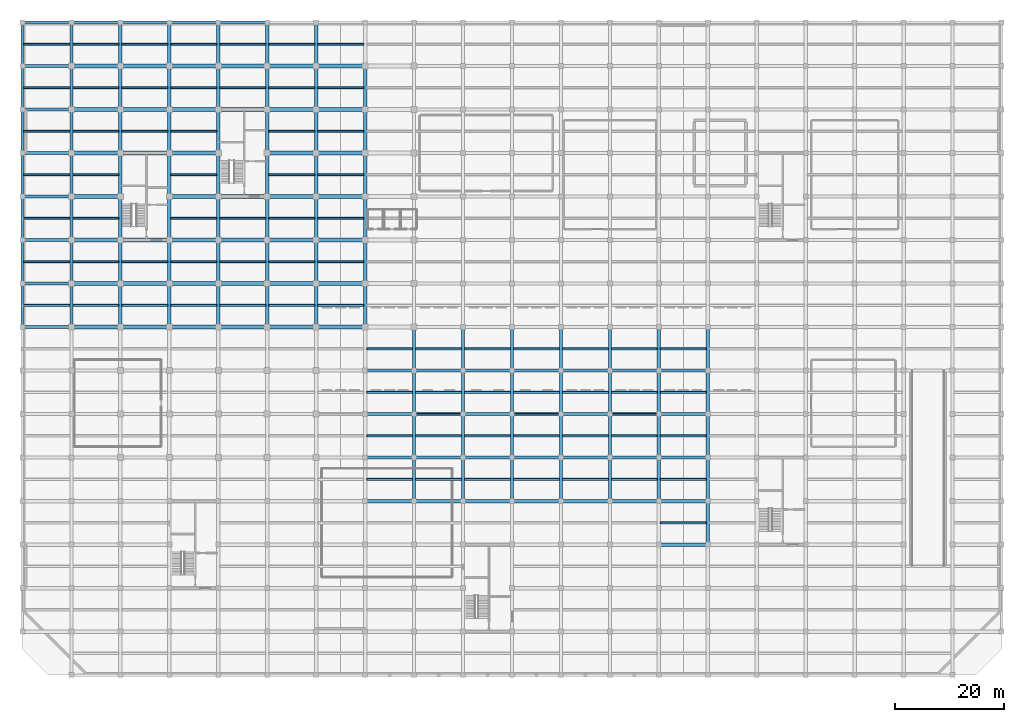
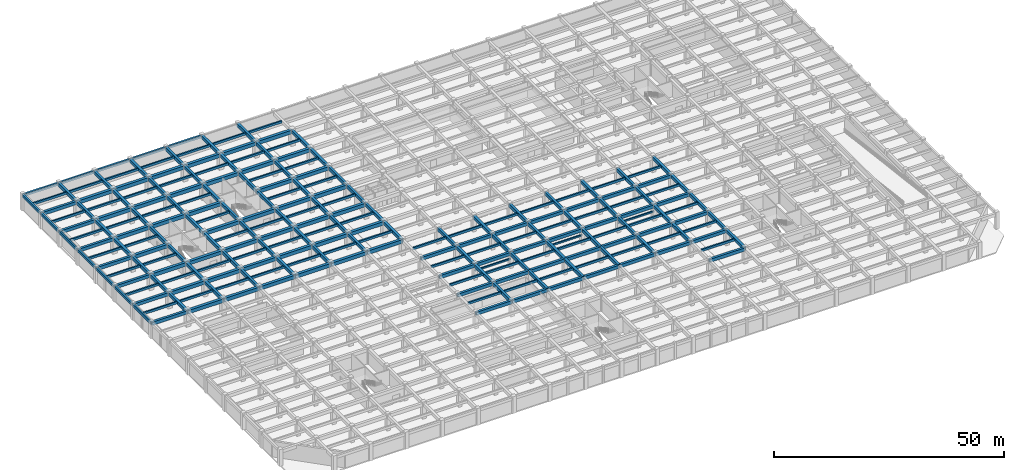
# One storey, part 5 of 26: 242 beams.
"""IFC4 building model written with IfcOpenShell, lengths in metres."""

from ifc_helpers import new_model, si_unit, direction, frame, origin, origin_2d, place, context, subcontext, project, spatial, rectangle, extrude, material, material_profile, profile_set, type_object, element, save


model = new_model("IFC4")

# Units and contexts
model_context = context("Model", 3, precision=1e-05, world=origin(), true_north=direction((0.0, 1.0)))
body_context = subcontext(model_context, "Body", "Model", "MODEL_VIEW")
ifc_project = project(units=[si_unit("LENGTHUNIT", "METRE"), si_unit("AREAUNIT", "SQUARE_METRE"), si_unit("VOLUMEUNIT", "CUBIC_METRE"), si_unit("PLANEANGLEUNIT", "RADIAN"), si_unit("MASSUNIT", "GRAM", prefix="KILO")], contexts=[model_context])

# Site, building, storey
site_placement = place(None, origin())
site = spatial("IfcSite", under=ifc_project, at=site_placement, CompositionType="ELEMENT")
building_placement = place(site_placement, origin())
building = spatial("IfcBuilding", under=site, at=building_placement, Name="Zaverband Oceanarium and Marine Research Institute", CompositionType="ELEMENT")
storey_placement = place(building_placement, frame((0.0, 0.0, -4.5)))
storey = spatial("IfcBuildingStorey", under=building, at=storey_placement, Name="B1", CompositionType="ELEMENT", Elevation=-4.5)

# Beams
ifc_material_1 = material(Name="Concrete C40/50", Category="concrete")
ifc_material_profile_1 = material_profile(ifc_material_1, rectangle(XDim=0.60009765625, YDim=0.85009765625, at=origin_2d()), Name="RC600x850")
ifc_profile_set_1 = profile_set([ifc_material_profile_1], Name="Concrete C40/50")
beam_type_1 = type_object("IfcBeamType", Name="BM-600x850", PredefinedType="BEAM", material=ifc_profile_set_1)
for number, where, z_axis, x_axis, name in (
    (1, (117.0, 24.0, 3.72509765625), (1.0, 0.0, 0.0), (0.0, 1.0, 0.0), "Primary floor girder BM-600x850"),
    (2, (63.0, 32.0, 3.72509765625), (1.0, 0.0, 0.0), (0.0, 1.0, 0.0), "Primary floor girder BM-600x850"),
    (3, (72.0, 32.0, 3.72509765625), (1.0, 0.0, 0.0), (0.0, 1.0, 0.0), "Primary floor girder BM-600x850"),
    (4, (81.0, 32.0, 3.72509765625), (1.0, 0.0, 0.0), (0.0, 1.0, 0.0), "Primary floor girder BM-600x850"),
    (5, (90.0, 32.0, 3.72509765625), (1.0, 0.0, 0.0), (0.0, 1.0, 0.0), "Primary floor girder BM-600x850"),
    (6, (99.0, 32.0, 3.72509765625), (1.0, 0.0, 0.0), (0.0, 1.0, 0.0), "Primary floor girder BM-600x850"),
    (7, (108.0, 32.0, 3.72509765625), (1.0, 0.0, 0.0), (0.0, 1.0, 0.0), "Primary floor girder BM-600x850"),
    (8, (117.0, 32.0, 3.72509765625), (1.0, 0.0, 0.0), (0.0, 1.0, 0.0), "Primary floor girder BM-600x850"),
    (9, (63.0, 40.0, 3.72509765625), (1.0, 0.0, 0.0), (0.0, 1.0, 0.0), "Primary floor girder BM-600x850"),
    (10, (72.0, 40.0, 3.72509765625), (1.0, 0.0, 0.0), (0.0, 1.0, 0.0), "Primary floor girder BM-600x850"),
    (11, (81.0, 40.0, 3.72509765625), (1.0, 0.0, 0.0), (0.0, 1.0, 0.0), "Primary floor girder BM-600x850"),
    (12, (90.0, 40.0, 3.72509765625), (1.0, 0.0, 0.0), (0.0, 1.0, 0.0), "Primary floor girder BM-600x850"),
    (13, (99.0, 40.0, 3.72509765625), (1.0, 0.0, 0.0), (0.0, 1.0, 0.0), "Primary floor girder BM-600x850"),
    (14, (108.0, 40.0, 3.72509765625), (1.0, 0.0, 0.0), (0.0, 1.0, 0.0), "Primary floor girder BM-600x850"),
    (15, (117.0, 40.0, 3.72509765625), (1.0, 0.0, 0.0), (0.0, 1.0, 0.0), "Primary floor girder BM-600x850"),
    (16, (63.0, 48.0, 3.72509765625), (1.0, 0.0, 0.0), (0.0, 1.0, 0.0), "Primary floor girder BM-600x850"),
    (17, (72.0, 48.0, 3.72509765625), (1.0, 0.0, 0.0), (0.0, 1.0, 0.0), "Primary floor girder BM-600x850"),
    (18, (81.0, 48.0, 3.72509765625), (1.0, 0.0, 0.0), (0.0, 1.0, 0.0), "Primary floor girder BM-600x850"),
    (19, (90.0, 48.0, 3.72509765625), (1.0, 0.0, 0.0), (0.0, 1.0, 0.0), "Primary floor girder BM-600x850"),
    (20, (99.0, 48.0, 3.72509765625), (1.0, 0.0, 0.0), (0.0, 1.0, 0.0), "Primary floor girder BM-600x850"),
    (21, (108.0, 48.0, 3.72509765625), (1.0, 0.0, 0.0), (0.0, 1.0, 0.0), "Primary floor girder BM-600x850"),
    (22, (117.0, 48.0, 3.72509765625), (1.0, 0.0, 0.0), (0.0, 1.0, 0.0), "Primary floor girder BM-600x850"),
    (23, (63.0, 56.0, 3.72509765625), (1.0, 0.0, 0.0), (0.0, 1.0, 0.0), "Primary floor girder BM-600x850"),
    (24, (72.0, 56.0, 3.72509765625), (1.0, 0.0, 0.0), (0.0, 1.0, 0.0), "Primary floor girder BM-600x850"),
    (25, (81.0, 56.0, 3.72509765625), (1.0, 0.0, 0.0), (0.0, 1.0, 0.0), "Primary floor girder BM-600x850"),
    (26, (90.0, 56.0, 3.72509765625), (1.0, 0.0, 0.0), (0.0, 1.0, 0.0), "Primary floor girder BM-600x850"),
    (27, (99.0, 56.0, 3.72509765625), (1.0, 0.0, 0.0), (0.0, 1.0, 0.0), "Primary floor girder BM-600x850"),
    (28, (108.0, 56.0, 3.72509765625), (1.0, 0.0, 0.0), (0.0, 1.0, 0.0), "Primary floor girder BM-600x850"),
    (29, (117.0, 56.0, 3.72509765625), (1.0, 0.0, 0.0), (0.0, 1.0, 0.0), "Primary floor girder BM-600x850"),
    (30, (0.0, 64.0, 3.72509765625), (1.0, 0.0, 0.0), (0.0, 1.0, 0.0), "Primary floor girder BM-600x850"),
    (31, (0.0, 72.0, 3.72509765625), (1.0, 0.0, 0.0), (0.0, 1.0, 0.0), "Primary floor girder BM-600x850"),
    (32, (0.0, 80.0, 3.72509765625), (1.0, 0.0, 0.0), (0.0, 1.0, 0.0), "Primary floor girder BM-600x850"),
    (33, (0.0, 88.0, 3.72509765625), (1.0, 0.0, 0.0), (0.0, 1.0, 0.0), "Primary floor girder BM-600x850"),
    (34, (0.0, 96.0, 3.72509765625), (1.0, 0.0, 0.0), (0.0, 1.0, 0.0), "Primary floor girder BM-600x850"),
    (35, (0.0, 104.0, 3.72509765625), (1.0, 0.0, 0.0), (0.0, 1.0, 0.0), "Primary floor girder BM-600x850"),
    (36, (0.0, 112.0, 3.72509765625), (1.0, 0.0, 0.0), (0.0, 1.0, 0.0), "Primary floor girder BM-600x850"),
):
    element("IfcBeam", number, at=place(storey_placement, frame(where, z_axis=z_axis, x_axis=x_axis)), inside=storey, type_object=beam_type_1, Name=name, PredefinedType="BEAM", context=body_context, shape_type="SweptSolid", body=[
        extrude(rectangle(XDim=0.60009765625, YDim=0.85009765625, at=origin_2d()), origin(), (0.0, 0.0, 1.0), 9.0),
    ])
for number, where, z_axis, x_axis, name in (
    (37, (9.0, 64.0, 3.72509765625), (0.0, 1.0, 0.0), (-1.0, 0.0, 0.0), "Primary floor girder BM-600x850"),
    (38, (9.0, 72.0, 3.72509765625), (0.0, 1.0, 0.0), (-1.0, 0.0, 0.0), "Primary floor girder BM-600x850"),
    (39, (9.0, 80.0, 3.72509765625), (0.0, 1.0, 0.0), (-1.0, 0.0, 0.0), "Primary floor girder BM-600x850"),
    (40, (9.0, 88.0, 3.72509765625), (0.0, 1.0, 0.0), (-1.0, 0.0, 0.0), "Primary floor girder BM-600x850"),
    (41, (9.0, 96.0, 3.72509765625), (0.0, 1.0, 0.0), (-1.0, 0.0, 0.0), "Primary floor girder BM-600x850"),
    (42, (9.0, 104.0, 3.72509765625), (0.0, 1.0, 0.0), (-1.0, 0.0, 0.0), "Primary floor girder BM-600x850"),
    (43, (9.0, 112.0, 3.72509765625), (0.0, 1.0, 0.0), (-1.0, 0.0, 0.0), "Primary floor girder BM-600x850"),
    (44, (18.0, 64.0, 3.72509765625), (0.0, 1.0, 0.0), (-1.0, 0.0, 0.0), "Primary floor girder BM-600x850"),
    (45, (18.0, 72.0, 3.72509765625), (0.0, 1.0, 0.0), (-1.0, 0.0, 0.0), "Primary floor girder BM-600x850"),
    (46, (18.0, 80.0, 3.72509765625), (0.0, 1.0, 0.0), (-1.0, 0.0, 0.0), "Primary floor girder BM-600x850"),
    (47, (18.0, 88.0, 3.72509765625), (0.0, 1.0, 0.0), (-1.0, 0.0, 0.0), "Primary floor girder BM-600x850"),
    (48, (18.0, 96.0, 3.72509765625), (0.0, 1.0, 0.0), (-1.0, 0.0, 0.0), "Primary floor girder BM-600x850"),
    (49, (18.0, 104.0, 3.72509765625), (0.0, 1.0, 0.0), (-1.0, 0.0, 0.0), "Primary floor girder BM-600x850"),
    (50, (18.0, 112.0, 3.72509765625), (0.0, 1.0, 0.0), (-1.0, 0.0, 0.0), "Primary floor girder BM-600x850"),
    (51, (27.0, 64.0, 3.72509765625), (0.0, 1.0, 0.0), (-1.0, 0.0, 0.0), "Primary floor girder BM-600x850"),
    (52, (27.0, 72.0, 3.72509765625), (0.0, 1.0, 0.0), (-1.0, 0.0, 0.0), "Primary floor girder BM-600x850"),
    (53, (27.0, 80.0, 3.72509765625), (0.0, 1.0, 0.0), (-1.0, 0.0, 0.0), "Primary floor girder BM-600x850"),
    (54, (27.0, 88.0, 3.72509765625), (0.0, 1.0, 0.0), (-1.0, 0.0, 0.0), "Primary floor girder BM-600x850"),
    (55, (27.0, 96.0, 3.72509765625), (0.0, 1.0, 0.0), (-1.0, 0.0, 0.0), "Primary floor girder BM-600x850"),
    (56, (27.0, 104.0, 3.72509765625), (0.0, 1.0, 0.0), (-1.0, 0.0, 0.0), "Primary floor girder BM-600x850"),
    (57, (27.0, 112.0, 3.72509765625), (0.0, 1.0, 0.0), (-1.0, 0.0, 0.0), "Primary floor girder BM-600x850"),
    (58, (36.0, 64.0, 3.72509765625), (0.0, 1.0, 0.0), (-1.0, 0.0, 0.0), "Primary floor girder BM-600x850"),
    (59, (36.0, 72.0, 3.72509765625), (0.0, 1.0, 0.0), (-1.0, 0.0, 0.0), "Primary floor girder BM-600x850"),
    (60, (36.0, 80.0, 3.72509765625), (0.0, 1.0, 0.0), (-1.0, 0.0, 0.0), "Primary floor girder BM-600x850"),
    (61, (36.0, 88.0, 3.72509765625), (0.0, 1.0, 0.0), (-1.0, 0.0, 0.0), "Primary floor girder BM-600x850"),
    (62, (36.0, 96.0, 3.72509765625), (0.0, 1.0, 0.0), (-1.0, 0.0, 0.0), "Primary floor girder BM-600x850"),
    (63, (36.0, 104.0, 3.72509765625), (0.0, 1.0, 0.0), (-1.0, 0.0, 0.0), "Primary floor girder BM-600x850"),
    (64, (36.0, 112.0, 3.72509765625), (0.0, 1.0, 0.0), (-1.0, 0.0, 0.0), "Primary floor girder BM-600x850"),
    (65, (45.0, 64.0, 3.72509765625), (0.0, 1.0, 0.0), (-1.0, 0.0, 0.0), "Primary floor girder BM-600x850"),
    (66, (45.0, 72.0, 3.72509765625), (0.0, 1.0, 0.0), (-1.0, 0.0, 0.0), "Primary floor girder BM-600x850"),
    (67, (45.0, 80.0, 3.72509765625), (0.0, 1.0, 0.0), (-1.0, 0.0, 0.0), "Primary floor girder BM-600x850"),
    (68, (45.0, 88.0, 3.72509765625), (0.0, 1.0, 0.0), (-1.0, 0.0, 0.0), "Primary floor girder BM-600x850"),
    (69, (45.0, 96.0, 3.72509765625), (0.0, 1.0, 0.0), (-1.0, 0.0, 0.0), "Primary floor girder BM-600x850"),
    (70, (45.0, 104.0, 3.72509765625), (0.0, 1.0, 0.0), (-1.0, 0.0, 0.0), "Primary floor girder BM-600x850"),
    (71, (45.0, 112.0, 3.72509765625), (0.0, 1.0, 0.0), (-1.0, 0.0, 0.0), "Primary floor girder BM-600x850"),
    (72, (54.0, 64.0, 3.72509765625), (0.0, 1.0, 0.0), (-1.0, 0.0, 0.0), "Primary floor girder BM-600x850"),
    (73, (54.0, 72.0, 3.72509765625), (0.0, 1.0, 0.0), (-1.0, 0.0, 0.0), "Primary floor girder BM-600x850"),
    (74, (54.0, 80.0, 3.72509765625), (0.0, 1.0, 0.0), (-1.0, 0.0, 0.0), "Primary floor girder BM-600x850"),
    (75, (54.0, 88.0, 3.72509765625), (0.0, 1.0, 0.0), (-1.0, 0.0, 0.0), "Primary floor girder BM-600x850"),
    (76, (54.0, 96.0, 3.72509765625), (0.0, 1.0, 0.0), (-1.0, 0.0, 0.0), "Primary floor girder BM-600x850"),
    (77, (54.0, 104.0, 3.72509765625), (0.0, 1.0, 0.0), (-1.0, 0.0, 0.0), "Primary floor girder BM-600x850"),
    (78, (54.0, 112.0, 3.72509765625), (0.0, 1.0, 0.0), (-1.0, 0.0, 0.0), "Primary floor girder BM-600x850"),
    (79, (63.0, 64.0, 3.72509765625), (0.0, 1.0, 0.0), (-1.0, 0.0, 0.0), "Primary floor girder BM-600x850"),
    (80, (63.0, 72.0, 3.72509765625), (0.0, 1.0, 0.0), (-1.0, 0.0, 0.0), "Primary floor girder BM-600x850"),
    (81, (63.0, 80.0, 3.72509765625), (0.0, 1.0, 0.0), (-1.0, 0.0, 0.0), "Primary floor girder BM-600x850"),
    (82, (63.0, 88.0, 3.72509765625), (0.0, 1.0, 0.0), (-1.0, 0.0, 0.0), "Primary floor girder BM-600x850"),
    (83, (63.0, 96.0, 3.72509765625), (0.0, 1.0, 0.0), (-1.0, 0.0, 0.0), "Primary floor girder BM-600x850"),
    (84, (63.0, 104.0, 3.72509765625), (0.0, 1.0, 0.0), (-1.0, 0.0, 0.0), "Primary floor girder BM-600x850"),
    (85, (72.0, 32.0, 3.72509765625), (0.0, 1.0, 0.0), (-1.0, 0.0, 0.0), "Primary floor girder BM-600x850"),
    (86, (72.0, 40.0, 3.72509765625), (0.0, 1.0, 0.0), (-1.0, 0.0, 0.0), "Primary floor girder BM-600x850"),
    (87, (72.0, 48.0, 3.72509765625), (0.0, 1.0, 0.0), (-1.0, 0.0, 0.0), "Primary floor girder BM-600x850"),
    (88, (72.0, 56.0, 3.72509765625), (0.0, 1.0, 0.0), (-1.0, 0.0, 0.0), "Primary floor girder BM-600x850"),
    (89, (81.0, 32.0, 3.72509765625), (0.0, 1.0, 0.0), (-1.0, 0.0, 0.0), "Primary floor girder BM-600x850"),
    (90, (81.0, 40.0, 3.72509765625), (0.0, 1.0, 0.0), (-1.0, 0.0, 0.0), "Primary floor girder BM-600x850"),
    (91, (81.0, 48.0, 3.72509765625), (0.0, 1.0, 0.0), (-1.0, 0.0, 0.0), "Primary floor girder BM-600x850"),
    (92, (81.0, 56.0, 3.72509765625), (0.0, 1.0, 0.0), (-1.0, 0.0, 0.0), "Primary floor girder BM-600x850"),
    (93, (90.0, 32.0, 3.72509765625), (0.0, 1.0, 0.0), (-1.0, 0.0, 0.0), "Primary floor girder BM-600x850"),
    (94, (90.0, 40.0, 3.72509765625), (0.0, 1.0, 0.0), (-1.0, 0.0, 0.0), "Primary floor girder BM-600x850"),
    (95, (90.0, 48.0, 3.72509765625), (0.0, 1.0, 0.0), (-1.0, 0.0, 0.0), "Primary floor girder BM-600x850"),
    (96, (90.0, 56.0, 3.72509765625), (0.0, 1.0, 0.0), (-1.0, 0.0, 0.0), "Primary floor girder BM-600x850"),
    (97, (99.0, 32.0, 3.72509765625), (0.0, 1.0, 0.0), (-1.0, 0.0, 0.0), "Primary floor girder BM-600x850"),
    (98, (99.0, 40.0, 3.72509765625), (0.0, 1.0, 0.0), (-1.0, 0.0, 0.0), "Primary floor girder BM-600x850"),
    (99, (99.0, 48.0, 3.72509765625), (0.0, 1.0, 0.0), (-1.0, 0.0, 0.0), "Primary floor girder BM-600x850"),
    (100, (99.0, 56.0, 3.72509765625), (0.0, 1.0, 0.0), (-1.0, 0.0, 0.0), "Primary floor girder BM-600x850"),
    (101, (108.0, 32.0, 3.72509765625), (0.0, 1.0, 0.0), (-1.0, 0.0, 0.0), "Primary floor girder BM-600x850"),
    (102, (108.0, 40.0, 3.72509765625), (0.0, 1.0, 0.0), (-1.0, 0.0, 0.0), "Primary floor girder BM-600x850"),
    (103, (108.0, 48.0, 3.72509765625), (0.0, 1.0, 0.0), (-1.0, 0.0, 0.0), "Primary floor girder BM-600x850"),
    (104, (108.0, 56.0, 3.72509765625), (0.0, 1.0, 0.0), (-1.0, 0.0, 0.0), "Primary floor girder BM-600x850"),
    (105, (117.0, 32.0, 3.72509765625), (0.0, 1.0, 0.0), (-1.0, 0.0, 0.0), "Primary floor girder BM-600x850"),
    (106, (117.0, 40.0, 3.72509765625), (0.0, 1.0, 0.0), (-1.0, 0.0, 0.0), "Primary floor girder BM-600x850"),
    (107, (117.0, 48.0, 3.72509765625), (0.0, 1.0, 0.0), (-1.0, 0.0, 0.0), "Primary floor girder BM-600x850"),
    (108, (117.0, 56.0, 3.72509765625), (0.0, 1.0, 0.0), (-1.0, 0.0, 0.0), "Primary floor girder BM-600x850"),
    (109, (126.0, 24.0, 3.72509765625), (0.0, 1.0, 0.0), (-1.0, 0.0, 0.0), "Primary floor girder BM-600x850"),
    (110, (126.0, 32.0, 3.72509765625), (0.0, 1.0, 0.0), (-1.0, 0.0, 0.0), "Primary floor girder BM-600x850"),
    (111, (126.0, 40.0, 3.72509765625), (0.0, 1.0, 0.0), (-1.0, 0.0, 0.0), "Primary floor girder BM-600x850"),
    (112, (126.0, 48.0, 3.72509765625), (0.0, 1.0, 0.0), (-1.0, 0.0, 0.0), "Primary floor girder BM-600x850"),
    (113, (126.0, 56.0, 3.72509765625), (0.0, 1.0, 0.0), (-1.0, 0.0, 0.0), "Primary floor girder BM-600x850"),
):
    element("IfcBeam", number, at=place(storey_placement, frame(where, z_axis=z_axis, x_axis=x_axis)), inside=storey, type_object=beam_type_1, Name=name, PredefinedType="BEAM", context=body_context, shape_type="SweptSolid", body=[
        extrude(rectangle(XDim=0.60009765625, YDim=0.85009765625, at=origin_2d()), origin(), (0.0, 0.0, 1.0), 8.0),
    ])
ifc_material_2 = material(Name="Concrete C50/60", Category="concrete")
ifc_material_profile_2 = material_profile(ifc_material_2, rectangle(XDim=0.699951171875, YDim=0.949951171875, at=origin_2d()), Name="RC700x950")
ifc_profile_set_2 = profile_set([ifc_material_profile_2], Name="Concrete C50/60")
beam_type_2 = type_object("IfcBeamType", Name="BM-700x950", PredefinedType="BEAM", material=ifc_profile_set_2)
for number, where, z_axis, x_axis, name in (
    (114, (9.0, 64.0, 3.675048828125), (1.0, 0.0, 0.0), (0.0, 1.0, 0.0), "Primary floor girder BM-700x950"),
    (115, (18.0, 64.0, 3.675048828125), (1.0, 0.0, 0.0), (0.0, 1.0, 0.0), "Primary floor girder BM-700x950"),
    (116, (27.0, 64.0, 3.675048828125), (1.0, 0.0, 0.0), (0.0, 1.0, 0.0), "Primary floor girder BM-700x950"),
    (117, (36.0, 64.0, 3.675048828125), (1.0, 0.0, 0.0), (0.0, 1.0, 0.0), "Primary floor girder BM-700x950"),
    (118, (45.0, 64.0, 3.675048828125), (1.0, 0.0, 0.0), (0.0, 1.0, 0.0), "Primary floor girder BM-700x950"),
    (119, (54.0, 64.0, 3.675048828125), (1.0, 0.0, 0.0), (0.0, 1.0, 0.0), "Primary floor girder BM-700x950"),
    (120, (9.0, 72.0, 3.675048828125), (1.0, 0.0, 0.0), (0.0, 1.0, 0.0), "Primary floor girder BM-700x950"),
    (121, (18.0, 72.0, 3.675048828125), (1.0, 0.0, 0.0), (0.0, 1.0, 0.0), "Primary floor girder BM-700x950"),
    (122, (27.0, 72.0, 3.675048828125), (1.0, 0.0, 0.0), (0.0, 1.0, 0.0), "Primary floor girder BM-700x950"),
    (123, (36.0, 72.0, 3.675048828125), (1.0, 0.0, 0.0), (0.0, 1.0, 0.0), "Primary floor girder BM-700x950"),
    (124, (45.0, 72.0, 3.675048828125), (1.0, 0.0, 0.0), (0.0, 1.0, 0.0), "Primary floor girder BM-700x950"),
    (125, (54.0, 72.0, 3.675048828125), (1.0, 0.0, 0.0), (0.0, 1.0, 0.0), "Primary floor girder BM-700x950"),
    (126, (9.0, 80.0, 3.675048828125), (1.0, 0.0, 0.0), (0.0, 1.0, 0.0), "Primary floor girder BM-700x950"),
    (127, (18.0, 80.0, 3.675048828125), (1.0, 0.0, 0.0), (0.0, 1.0, 0.0), "Primary floor girder BM-700x950"),
    (128, (27.0, 80.0, 3.675048828125), (1.0, 0.0, 0.0), (0.0, 1.0, 0.0), "Primary floor girder BM-700x950"),
    (129, (36.0, 80.0, 3.675048828125), (1.0, 0.0, 0.0), (0.0, 1.0, 0.0), "Primary floor girder BM-700x950"),
    (130, (45.0, 80.0, 3.675048828125), (1.0, 0.0, 0.0), (0.0, 1.0, 0.0), "Primary floor girder BM-700x950"),
    (131, (54.0, 80.0, 3.675048828125), (1.0, 0.0, 0.0), (0.0, 1.0, 0.0), "Primary floor girder BM-700x950"),
    (132, (9.0, 88.0, 3.675048828125), (1.0, 0.0, 0.0), (0.0, 1.0, 0.0), "Primary floor girder BM-700x950"),
    (133, (27.0, 88.0, 3.675048828125), (1.0, 0.0, 0.0), (0.0, 1.0, 0.0), "Primary floor girder BM-700x950"),
    (134, (36.0, 88.0, 3.675048828125), (1.0, 0.0, 0.0), (0.0, 1.0, 0.0), "Primary floor girder BM-700x950"),
    (135, (45.0, 88.0, 3.675048828125), (1.0, 0.0, 0.0), (0.0, 1.0, 0.0), "Primary floor girder BM-700x950"),
    (136, (54.0, 88.0, 3.675048828125), (1.0, 0.0, 0.0), (0.0, 1.0, 0.0), "Primary floor girder BM-700x950"),
    (137, (9.0, 96.0, 3.675048828125), (1.0, 0.0, 0.0), (0.0, 1.0, 0.0), "Primary floor girder BM-700x950"),
    (138, (18.0, 96.0, 3.675048828125), (1.0, 0.0, 0.0), (0.0, 1.0, 0.0), "Primary floor girder BM-700x950"),
    (139, (27.0, 96.0, 3.675048828125), (1.0, 0.0, 0.0), (0.0, 1.0, 0.0), "Primary floor girder BM-700x950"),
    (140, (45.0, 96.0, 3.675048828125), (1.0, 0.0, 0.0), (0.0, 1.0, 0.0), "Primary floor girder BM-700x950"),
    (141, (54.0, 96.0, 3.675048828125), (1.0, 0.0, 0.0), (0.0, 1.0, 0.0), "Primary floor girder BM-700x950"),
    (142, (9.0, 104.0, 3.675048828125), (1.0, 0.0, 0.0), (0.0, 1.0, 0.0), "Primary floor girder BM-700x950"),
    (143, (18.0, 104.0, 3.675048828125), (1.0, 0.0, 0.0), (0.0, 1.0, 0.0), "Primary floor girder BM-700x950"),
    (144, (27.0, 104.0, 3.675048828125), (1.0, 0.0, 0.0), (0.0, 1.0, 0.0), "Primary floor girder BM-700x950"),
    (145, (36.0, 104.0, 3.675048828125), (1.0, 0.0, 0.0), (0.0, 1.0, 0.0), "Primary floor girder BM-700x950"),
    (146, (45.0, 104.0, 3.675048828125), (1.0, 0.0, 0.0), (0.0, 1.0, 0.0), "Primary floor girder BM-700x950"),
    (147, (54.0, 104.0, 3.675048828125), (1.0, 0.0, 0.0), (0.0, 1.0, 0.0), "Primary floor girder BM-700x950"),
    (148, (9.0, 112.0, 3.675048828125), (1.0, 0.0, 0.0), (0.0, 1.0, 0.0), "Primary floor girder BM-700x950"),
    (149, (18.0, 112.0, 3.675048828125), (1.0, 0.0, 0.0), (0.0, 1.0, 0.0), "Primary floor girder BM-700x950"),
    (150, (27.0, 112.0, 3.675048828125), (1.0, 0.0, 0.0), (0.0, 1.0, 0.0), "Primary floor girder BM-700x950"),
    (151, (36.0, 112.0, 3.675048828125), (1.0, 0.0, 0.0), (0.0, 1.0, 0.0), "Primary floor girder BM-700x950"),
    (152, (45.0, 112.0, 3.675048828125), (1.0, 0.0, 0.0), (0.0, 1.0, 0.0), "Primary floor girder BM-700x950"),
    (153, (54.0, 112.0, 3.675048828125), (1.0, 0.0, 0.0), (0.0, 1.0, 0.0), "Primary floor girder BM-700x950"),
):
    element("IfcBeam", number, at=place(storey_placement, frame(where, z_axis=z_axis, x_axis=x_axis)), inside=storey, type_object=beam_type_2, Name=name, PredefinedType="BEAM", context=body_context, shape_type="SweptSolid", body=[
        extrude(rectangle(XDim=0.699951171875, YDim=0.949951171875, at=origin_2d()), origin(), (0.0, 0.0, 1.0), 9.0),
    ])
ifc_material_profile_3 = material_profile(ifc_material_1, rectangle(XDim=0.35009765625, YDim=0.60009765625, at=origin_2d()), Name="RC350x600")
ifc_profile_set_3 = profile_set([ifc_material_profile_3], Name="Concrete C40/50")
beam_type_3 = type_object("IfcBeamType", Name="JST-350x600", PredefinedType="JOIST", material=ifc_profile_set_3)
for number, where, z_axis, x_axis, name in (
    (154, (0.22509765625, 68.0, 3.85009765625), (1.0, 0.0, 0.0), (0.0, 1.0, 0.0), "Secondary floor joist JST-350x600"),
    (155, (0.22509765625, 76.0, 3.85009765625), (1.0, 0.0, 0.0), (0.0, 1.0, 0.0), "Secondary floor joist JST-350x600"),
    (156, (0.22509765625, 84.0, 3.85009765625), (1.0, 0.0, 0.0), (0.0, 1.0, 0.0), "Secondary floor joist JST-350x600"),
    (157, (0.22509765625, 92.0, 3.85009765625), (1.0, 0.0, 0.0), (0.0, 1.0, 0.0), "Secondary floor joist JST-350x600"),
    (158, (0.22509765625, 100.0, 3.85009765625), (1.0, 0.0, 0.0), (0.0, 1.0, 0.0), "Secondary floor joist JST-350x600"),
    (159, (0.22509765625, 108.0, 3.85009765625), (1.0, 0.0, 0.0), (0.0, 1.0, 0.0), "Secondary floor joist JST-350x600"),
    (160, (0.22509765625, 116.0, 3.85009765625), (1.0, 0.0, 0.0), (0.0, 1.0, 0.0), "Secondary floor joist JST-350x600"),
):
    element("IfcBeam", number, at=place(storey_placement, frame(where, z_axis=z_axis, x_axis=x_axis)), inside=storey, type_object=beam_type_3, Name=name, PredefinedType="JOIST", context=body_context, shape_type="SweptSolid", body=[
        extrude(rectangle(XDim=0.35009765625, YDim=0.60009765625, at=origin_2d()), origin(), (0.0, 0.0, 1.0), 8.474853515625),
    ])
for number, where, z_axis, x_axis, name in (
    (161, (9.300048828125, 68.0, 3.85009765625), (1.0, 0.0, 0.0), (0.0, 1.0, 0.0), "Secondary floor joist JST-350x600"),
    (162, (9.300048828125, 76.0, 3.85009765625), (1.0, 0.0, 0.0), (0.0, 1.0, 0.0), "Secondary floor joist JST-350x600"),
    (163, (9.300048828125, 84.0, 3.85009765625), (1.0, 0.0, 0.0), (0.0, 1.0, 0.0), "Secondary floor joist JST-350x600"),
    (164, (9.300048828125, 92.0, 3.85009765625), (1.0, 0.0, 0.0), (0.0, 1.0, 0.0), "Secondary floor joist JST-350x600"),
    (165, (9.300048828125, 100.0, 3.85009765625), (1.0, 0.0, 0.0), (0.0, 1.0, 0.0), "Secondary floor joist JST-350x600"),
    (166, (9.300048828125, 108.0, 3.85009765625), (1.0, 0.0, 0.0), (0.0, 1.0, 0.0), "Secondary floor joist JST-350x600"),
    (167, (9.300048828125, 116.0, 3.85009765625), (1.0, 0.0, 0.0), (0.0, 1.0, 0.0), "Secondary floor joist JST-350x600"),
    (168, (18.300048828125, 68.0, 3.85009765625), (1.0, 0.0, 0.0), (0.0, 1.0, 0.0), "Secondary floor joist JST-350x600"),
    (169, (18.300048828125, 76.0, 3.85009765625), (1.0, 0.0, 0.0), (0.0, 1.0, 0.0), "Secondary floor joist JST-350x600"),
    (170, (18.300048828125, 100.0, 3.85009765625), (1.0, 0.0, 0.0), (0.0, 1.0, 0.0), "Secondary floor joist JST-350x600"),
    (171, (18.300048828125, 108.0, 3.85009765625), (1.0, 0.0, 0.0), (0.0, 1.0, 0.0), "Secondary floor joist JST-350x600"),
    (172, (18.300048828125, 116.0, 3.85009765625), (1.0, 0.0, 0.0), (0.0, 1.0, 0.0), "Secondary floor joist JST-350x600"),
    (173, (27.300048828125, 68.0, 3.85009765625), (1.0, 0.0, 0.0), (0.0, 1.0, 0.0), "Secondary floor joist JST-350x600"),
    (174, (27.300048828125, 76.0, 3.85009765625), (1.0, 0.0, 0.0), (0.0, 1.0, 0.0), "Secondary floor joist JST-350x600"),
    (175, (27.300048828125, 84.0, 3.85009765625), (1.0, 0.0, 0.0), (0.0, 1.0, 0.0), "Secondary floor joist JST-350x600"),
    (176, (27.300048828125, 92.0, 3.85009765625), (1.0, 0.0, 0.0), (0.0, 1.0, 0.0), "Secondary floor joist JST-350x600"),
    (177, (27.300048828125, 100.0, 3.85009765625), (1.0, 0.0, 0.0), (0.0, 1.0, 0.0), "Secondary floor joist JST-350x600"),
    (178, (27.300048828125, 108.0, 3.85009765625), (1.0, 0.0, 0.0), (0.0, 1.0, 0.0), "Secondary floor joist JST-350x600"),
    (179, (27.300048828125, 116.0, 3.85009765625), (1.0, 0.0, 0.0), (0.0, 1.0, 0.0), "Secondary floor joist JST-350x600"),
    (180, (36.300048828125, 68.0, 3.85009765625), (1.0, 0.0, 0.0), (0.0, 1.0, 0.0), "Secondary floor joist JST-350x600"),
    (181, (36.300048828125, 76.0, 3.85009765625), (1.0, 0.0, 0.0), (0.0, 1.0, 0.0), "Secondary floor joist JST-350x600"),
    (182, (36.300048828125, 84.0, 3.85009765625), (1.0, 0.0, 0.0), (0.0, 1.0, 0.0), "Secondary floor joist JST-350x600"),
    (183, (36.300048828125, 108.0, 3.85009765625), (1.0, 0.0, 0.0), (0.0, 1.0, 0.0), "Secondary floor joist JST-350x600"),
    (184, (36.300048828125, 116.0, 3.85009765625), (1.0, 0.0, 0.0), (0.0, 1.0, 0.0), "Secondary floor joist JST-350x600"),
    (185, (45.300048828125, 68.0, 3.85009765625), (1.0, 0.0, 0.0), (0.0, 1.0, 0.0), "Secondary floor joist JST-350x600"),
    (186, (45.300048828125, 76.0, 3.85009765625), (1.0, 0.0, 0.0), (0.0, 1.0, 0.0), "Secondary floor joist JST-350x600"),
    (187, (45.300048828125, 84.0, 3.85009765625), (1.0, 0.0, 0.0), (0.0, 1.0, 0.0), "Secondary floor joist JST-350x600"),
    (188, (45.300048828125, 92.0, 3.85009765625), (1.0, 0.0, 0.0), (0.0, 1.0, 0.0), "Secondary floor joist JST-350x600"),
    (189, (45.300048828125, 100.0, 3.85009765625), (1.0, 0.0, 0.0), (0.0, 1.0, 0.0), "Secondary floor joist JST-350x600"),
    (190, (45.300048828125, 108.0, 3.85009765625), (1.0, 0.0, 0.0), (0.0, 1.0, 0.0), "Secondary floor joist JST-350x600"),
    (191, (45.300048828125, 116.0, 3.85009765625), (1.0, 0.0, 0.0), (0.0, 1.0, 0.0), "Secondary floor joist JST-350x600"),
    (192, (54.300048828125, 68.0, 3.85009765625), (1.0, 0.0, 0.0), (0.0, 1.0, 0.0), "Secondary floor joist JST-350x600"),
    (193, (54.300048828125, 76.0, 3.85009765625), (1.0, 0.0, 0.0), (0.0, 1.0, 0.0), "Secondary floor joist JST-350x600"),
    (194, (54.300048828125, 84.0, 3.85009765625), (1.0, 0.0, 0.0), (0.0, 1.0, 0.0), "Secondary floor joist JST-350x600"),
    (195, (54.300048828125, 92.0, 3.85009765625), (1.0, 0.0, 0.0), (0.0, 1.0, 0.0), "Secondary floor joist JST-350x600"),
    (196, (54.300048828125, 100.0, 3.85009765625), (1.0, 0.0, 0.0), (0.0, 1.0, 0.0), "Secondary floor joist JST-350x600"),
    (197, (54.300048828125, 108.0, 3.85009765625), (1.0, 0.0, 0.0), (0.0, 1.0, 0.0), "Secondary floor joist JST-350x600"),
    (198, (54.300048828125, 116.0, 3.85009765625), (1.0, 0.0, 0.0), (0.0, 1.0, 0.0), "Secondary floor joist JST-350x600"),
    (199, (63.300048828125, 36.0, 3.85009765625), (1.0, 0.0, 0.0), (0.0, 1.0, 0.0), "Secondary floor joist JST-350x600"),
    (200, (63.300048828125, 44.0, 3.85009765625), (1.0, 0.0, 0.0), (0.0, 1.0, 0.0), "Secondary floor joist JST-350x600"),
    (201, (63.300048828125, 52.0, 3.85009765625), (1.0, 0.0, 0.0), (0.0, 1.0, 0.0), "Secondary floor joist JST-350x600"),
    (202, (63.300048828125, 60.0, 3.85009765625), (1.0, 0.0, 0.0), (0.0, 1.0, 0.0), "Secondary floor joist JST-350x600"),
    (203, (72.300048828125, 36.0, 3.85009765625), (1.0, 0.0, 0.0), (0.0, 1.0, 0.0), "Secondary floor joist JST-350x600"),
    (204, (72.300048828125, 44.0, 3.85009765625), (1.0, 0.0, 0.0), (0.0, 1.0, 0.0), "Secondary floor joist JST-350x600"),
    (205, (72.300048828125, 52.0, 3.85009765625), (1.0, 0.0, 0.0), (0.0, 1.0, 0.0), "Secondary floor joist JST-350x600"),
    (206, (72.300048828125, 60.0, 3.85009765625), (1.0, 0.0, 0.0), (0.0, 1.0, 0.0), "Secondary floor joist JST-350x600"),
    (207, (81.300048828125, 36.0, 3.85009765625), (1.0, 0.0, 0.0), (0.0, 1.0, 0.0), "Secondary floor joist JST-350x600"),
    (208, (81.300048828125, 44.0, 3.85009765625), (1.0, 0.0, 0.0), (0.0, 1.0, 0.0), "Secondary floor joist JST-350x600"),
    (209, (81.300048828125, 52.0, 3.85009765625), (1.0, 0.0, 0.0), (0.0, 1.0, 0.0), "Secondary floor joist JST-350x600"),
    (210, (81.300048828125, 60.0, 3.85009765625), (1.0, 0.0, 0.0), (0.0, 1.0, 0.0), "Secondary floor joist JST-350x600"),
    (211, (90.300048828125, 36.0, 3.85009765625), (1.0, 0.0, 0.0), (0.0, 1.0, 0.0), "Secondary floor joist JST-350x600"),
    (212, (90.300048828125, 44.0, 3.85009765625), (1.0, 0.0, 0.0), (0.0, 1.0, 0.0), "Secondary floor joist JST-350x600"),
    (213, (90.300048828125, 52.0, 3.85009765625), (1.0, 0.0, 0.0), (0.0, 1.0, 0.0), "Secondary floor joist JST-350x600"),
    (214, (90.300048828125, 60.0, 3.85009765625), (1.0, 0.0, 0.0), (0.0, 1.0, 0.0), "Secondary floor joist JST-350x600"),
    (215, (99.300048828125, 36.0, 3.85009765625), (1.0, 0.0, 0.0), (0.0, 1.0, 0.0), "Secondary floor joist JST-350x600"),
    (216, (99.300048828125, 44.0, 3.85009765625), (1.0, 0.0, 0.0), (0.0, 1.0, 0.0), "Secondary floor joist JST-350x600"),
    (217, (99.300048828125, 52.0, 3.85009765625), (1.0, 0.0, 0.0), (0.0, 1.0, 0.0), "Secondary floor joist JST-350x600"),
    (218, (99.300048828125, 60.0, 3.85009765625), (1.0, 0.0, 0.0), (0.0, 1.0, 0.0), "Secondary floor joist JST-350x600"),
    (219, (108.300048828125, 36.0, 3.85009765625), (1.0, 0.0, 0.0), (0.0, 1.0, 0.0), "Secondary floor joist JST-350x600"),
    (220, (108.300048828125, 44.0, 3.85009765625), (1.0, 0.0, 0.0), (0.0, 1.0, 0.0), "Secondary floor joist JST-350x600"),
    (221, (108.300048828125, 52.0, 3.85009765625), (1.0, 0.0, 0.0), (0.0, 1.0, 0.0), "Secondary floor joist JST-350x600"),
    (222, (108.300048828125, 60.0, 3.85009765625), (1.0, 0.0, 0.0), (0.0, 1.0, 0.0), "Secondary floor joist JST-350x600"),
    (223, (117.300048828125, 28.0, 3.85009765625), (1.0, 0.0, 0.0), (0.0, 1.0, 0.0), "Secondary floor joist JST-350x600"),
    (224, (117.300048828125, 36.0, 3.85009765625), (1.0, 0.0, 0.0), (0.0, 1.0, 0.0), "Secondary floor joist JST-350x600"),
    (225, (117.300048828125, 44.0, 3.85009765625), (1.0, 0.0, 0.0), (0.0, 1.0, 0.0), "Secondary floor joist JST-350x600"),
    (226, (117.300048828125, 52.0, 3.85009765625), (1.0, 0.0, 0.0), (0.0, 1.0, 0.0), "Secondary floor joist JST-350x600"),
    (227, (117.300048828125, 60.0, 3.85009765625), (1.0, 0.0, 0.0), (0.0, 1.0, 0.0), "Secondary floor joist JST-350x600"),
):
    element("IfcBeam", number, at=place(storey_placement, frame(where, z_axis=z_axis, x_axis=x_axis)), inside=storey, type_object=beam_type_3, Name=name, PredefinedType="JOIST", context=body_context, shape_type="SweptSolid", body=[
        extrude(rectangle(XDim=0.35009765625, YDim=0.60009765625, at=origin_2d()), origin(), (0.0, 0.0, 1.0), 8.39990234375),
    ])
ifc_material_profile_4 = material_profile(ifc_material_1, rectangle(XDim=0.300048828125, YDim=0.39990234375, at=origin_2d()), Name="RC300x400")
ifc_profile_set_4 = profile_set([ifc_material_profile_4], Name="Concrete C40/50")
beam_type_4 = type_object("IfcBeamType", Name="LNT-300x400", PredefinedType="LINTEL", material=ifc_profile_set_4)
for number, where, z_axis, x_axis, name in (
    (228, (72.0, 48.0, 2.25), (1.0, 0.0, 0.0), (0.0, 1.0, 0.0), "Opening lintel beam LNT-300x400"),
    (229, (90.0, 48.0, 2.25), (1.0, 0.0, 0.0), (0.0, 1.0, 0.0), "Opening lintel beam LNT-300x400"),
    (230, (108.0, 48.0, 2.25), (1.0, 0.0, 0.0), (0.0, 1.0, 0.0), "Opening lintel beam LNT-300x400"),
):
    element("IfcBeam", number, at=place(storey_placement, frame(where, z_axis=z_axis, x_axis=x_axis)), inside=storey, type_object=beam_type_4, Name=name, PredefinedType="LINTEL", context=body_context, shape_type="SweptSolid", body=[
        extrude(rectangle(XDim=0.300048828125, YDim=0.39990234375, at=origin_2d()), origin(), (0.0, 0.0, 1.0), 9.0),
    ])
ifc_material_profile_5 = material_profile(ifc_material_1, rectangle(XDim=0.449951171875, YDim=0.699951171875, at=origin_2d()), Name="RC450x700")
ifc_profile_set_5 = profile_set([ifc_material_profile_5], Name="Concrete C40/50")
beam_type_5 = type_object("IfcBeamType", Name="SPN-450x700", PredefinedType="SPANDREL", material=ifc_profile_set_5)
for number, where, z_axis, x_axis, name in (
    (231, (0.0, 120.0, 3.800048828125), (1.0, 0.0, 0.0), (0.0, 1.0, 0.0), "Perimeter spandrel beam SPN-450x700"),
    (232, (9.0, 120.0, 3.800048828125), (1.0, 0.0, 0.0), (0.0, 1.0, 0.0), "Perimeter spandrel beam SPN-450x700"),
    (233, (18.0, 120.0, 3.800048828125), (1.0, 0.0, 0.0), (0.0, 1.0, 0.0), "Perimeter spandrel beam SPN-450x700"),
    (234, (27.0, 120.0, 3.800048828125), (1.0, 0.0, 0.0), (0.0, 1.0, 0.0), "Perimeter spandrel beam SPN-450x700"),
    (235, (36.0, 120.0, 3.800048828125), (1.0, 0.0, 0.0), (0.0, 1.0, 0.0), "Perimeter spandrel beam SPN-450x700"),
):
    element("IfcBeam", number, at=place(storey_placement, frame(where, z_axis=z_axis, x_axis=x_axis)), inside=storey, type_object=beam_type_5, Name=name, PredefinedType="SPANDREL", context=body_context, shape_type="SweptSolid", body=[
        extrude(rectangle(XDim=0.449951171875, YDim=0.699951171875, at=origin_2d()), origin(), (0.0, 0.0, 1.0), 9.0),
    ])
for number, where, z_axis, x_axis, name in (
    (236, (0.0, 64.0, 3.800048828125), (0.0, 1.0, 0.0), (-1.0, 0.0, 0.0), "Perimeter spandrel beam SPN-450x700"),
    (237, (0.0, 72.0, 3.800048828125), (0.0, 1.0, 0.0), (-1.0, 0.0, 0.0), "Perimeter spandrel beam SPN-450x700"),
    (238, (0.0, 80.0, 3.800048828125), (0.0, 1.0, 0.0), (-1.0, 0.0, 0.0), "Perimeter spandrel beam SPN-450x700"),
    (239, (0.0, 88.0, 3.800048828125), (0.0, 1.0, 0.0), (-1.0, 0.0, 0.0), "Perimeter spandrel beam SPN-450x700"),
    (240, (0.0, 96.0, 3.800048828125), (0.0, 1.0, 0.0), (-1.0, 0.0, 0.0), "Perimeter spandrel beam SPN-450x700"),
    (241, (0.0, 104.0, 3.800048828125), (0.0, 1.0, 0.0), (-1.0, 0.0, 0.0), "Perimeter spandrel beam SPN-450x700"),
    (242, (0.0, 112.0, 3.800048828125), (0.0, 1.0, 0.0), (-1.0, 0.0, 0.0), "Perimeter spandrel beam SPN-450x700"),
):
    element("IfcBeam", number, at=place(storey_placement, frame(where, z_axis=z_axis, x_axis=x_axis)), inside=storey, type_object=beam_type_5, Name=name, PredefinedType="SPANDREL", context=body_context, shape_type="SweptSolid", body=[
        extrude(rectangle(XDim=0.449951171875, YDim=0.699951171875, at=origin_2d()), origin(), (0.0, 0.0, 1.0), 8.0),
    ])

save(model, "model.ifc")
